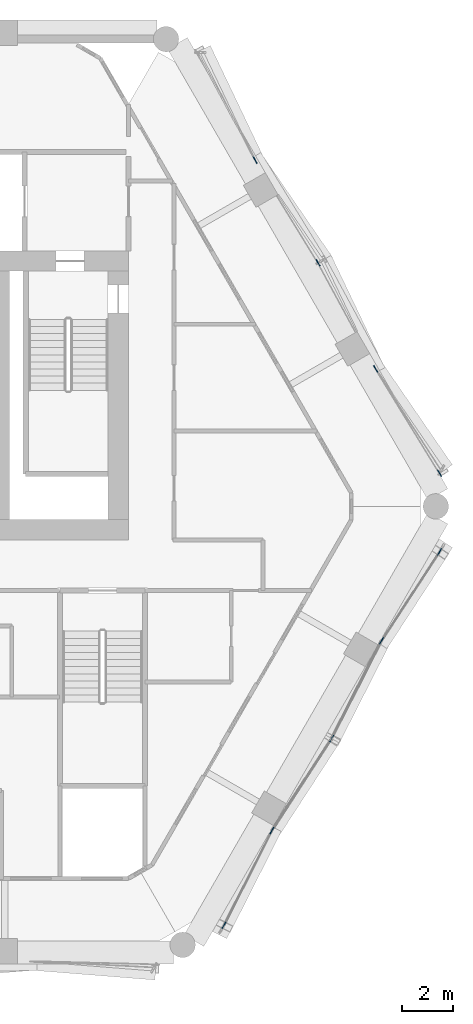
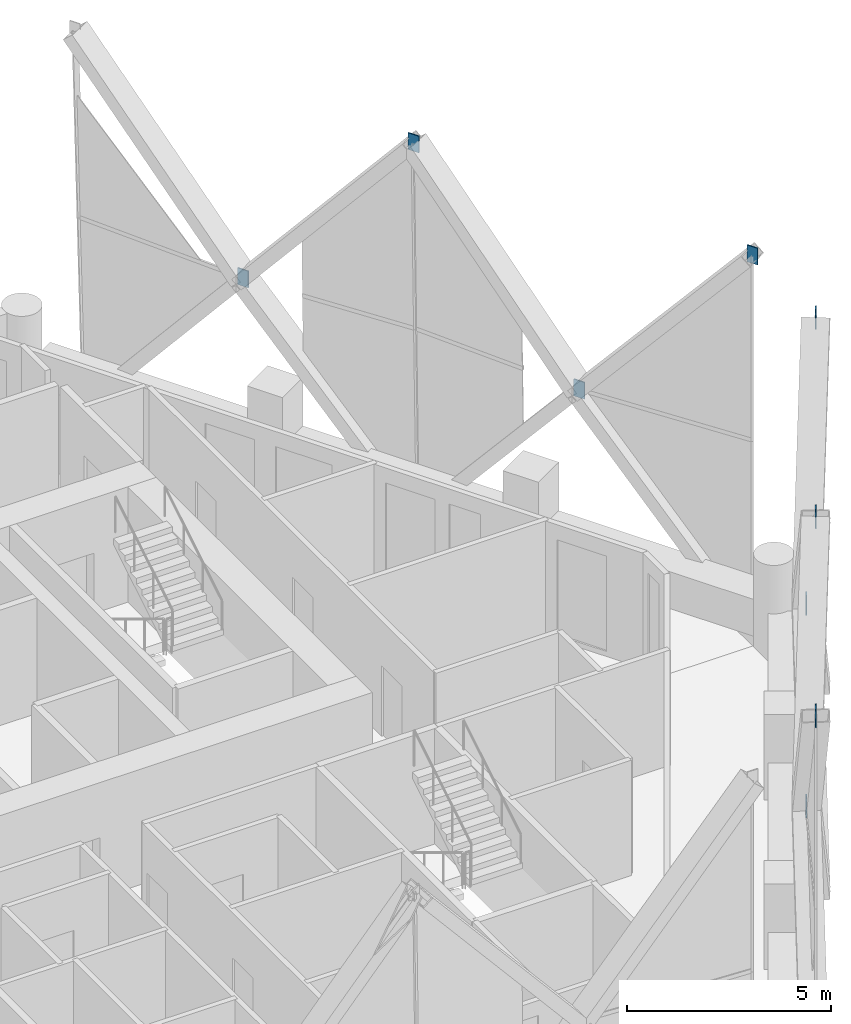
# One storey, part 16 of 18: 9 discrete accessories.
"""IFC4 building model written with IfcOpenShell, lengths in metres."""

from ifc_helpers import new_model, si_unit, direction, frame, origin, origin_2d, place, context, subcontext, project, spatial, rectangle, extrude, material, layer, layer_set, type_object, element, save


model = new_model("IFC4")

# Units and contexts
model_context = context("Model", 3, precision=1e-05, world=origin(), true_north=direction((0.0, 1.0)))
body_context = subcontext(model_context, "Body", "Model", "MODEL_VIEW")
ifc_project = project(units=[si_unit("LENGTHUNIT", "METRE"), si_unit("AREAUNIT", "SQUARE_METRE"), si_unit("VOLUMEUNIT", "CUBIC_METRE"), si_unit("PLANEANGLEUNIT", "RADIAN"), si_unit("MASSUNIT", "GRAM", prefix="KILO")], contexts=[model_context])

# Site, building, storey
site_placement = place(None, origin())
site = spatial("IfcSite", under=ifc_project, at=site_placement, CompositionType="ELEMENT")
building_placement = place(site_placement, origin())
building = spatial("IfcBuilding", under=site, at=building_placement, Name="Ostrander Bayou Hotel Tower", CompositionType="ELEMENT")
storey_placement = place(building_placement, frame((0.0, 0.0, 175.75)))
storey = spatial("IfcBuildingStorey", under=building, at=storey_placement, Name="L43", CompositionType="ELEMENT", Elevation=175.75)

# Discrete accessories
ifc_material = material(Name="Steel ASTM A572 Gr 50", Category="steel")
ifc_layer = layer(ifc_material, 0.030029296875)
ifc_layer_set = layer_set([ifc_layer], Name="GP1 gusset plate 30 mm")
discrete_accessory_type = type_object("IfcDiscreteAccessoryType", Name="GP1 gusset plate 30 mm", PredefinedType="BRACKET", material=ifc_layer_set)
for number, where, z_axis, x_axis, name in (
    (1, (14.1552734375, -13.162109375, 4.77490234375), (0.0, 0.0, 1.0), (0.5, 0.866025403784, 0.0), "GP1 gusset plate lat 291"),
    (2, (12.264892578125, -16.896484375, 10.39990234375), (0.0, 0.0, 1.0), (0.5, 0.866025403784, 0.0), "GP1 gusset plate lat 292"),
    (3, (16.51513671875, -9.534912109375, 10.39990234375), (0.0, 0.0, 1.0), (0.5, 0.866025403784, 0.0), "GP1 gusset plate lat 293"),
    (4, (18.476318359375, -5.677734375, 4.77490234375), (0.0, 0.0, 1.0), (0.5, 0.866025403784, 0.0), "GP1 gusset plate lat 294"),
    (5, (20.765380859375, -2.17333984375, 10.39990234375), (0.0, 0.0, 1.0), (0.5, 0.866025403784, 0.0), "GP1 gusset plate lat 295"),
    (6, (18.245361328125, 5.04541015625, 4.77490234375), (0.0, 0.0, 1.0), (-0.5, 0.866025403784, 0.0), "GP1 gusset plate lat 296"),
    (7, (20.765380859375, 0.9296875, 10.39990234375), (0.0, 0.0, 1.0), (-0.5, 0.866025403784, 0.0), "GP1 gusset plate lat 297"),
    (8, (15.9765625, 9.22412109375, 10.39990234375), (0.0, 0.0, 1.0), (-0.5, 0.866025403784, 0.0), "GP1 gusset plate lat 298"),
    (9, (13.491943359375, 13.2783203125, 4.77490234375), (0.0, 0.0, 1.0), (-0.5, 0.866025403784, 0.0), "GP1 gusset plate lat 299"),
):
    element("IfcDiscreteAccessory", number, at=place(storey_placement, frame(where, z_axis=z_axis, x_axis=x_axis)), inside=storey, type_object=discrete_accessory_type, Name=name, PredefinedType="BRACKET", context=body_context, shape_type="SweptSolid", body=[
        extrude(rectangle(XDim=0.300048828125, YDim=0.030029296875, at=origin_2d()), origin(), (0.0, 0.0, 1.0), 0.5),
    ])

save(model, "model.ifc")
